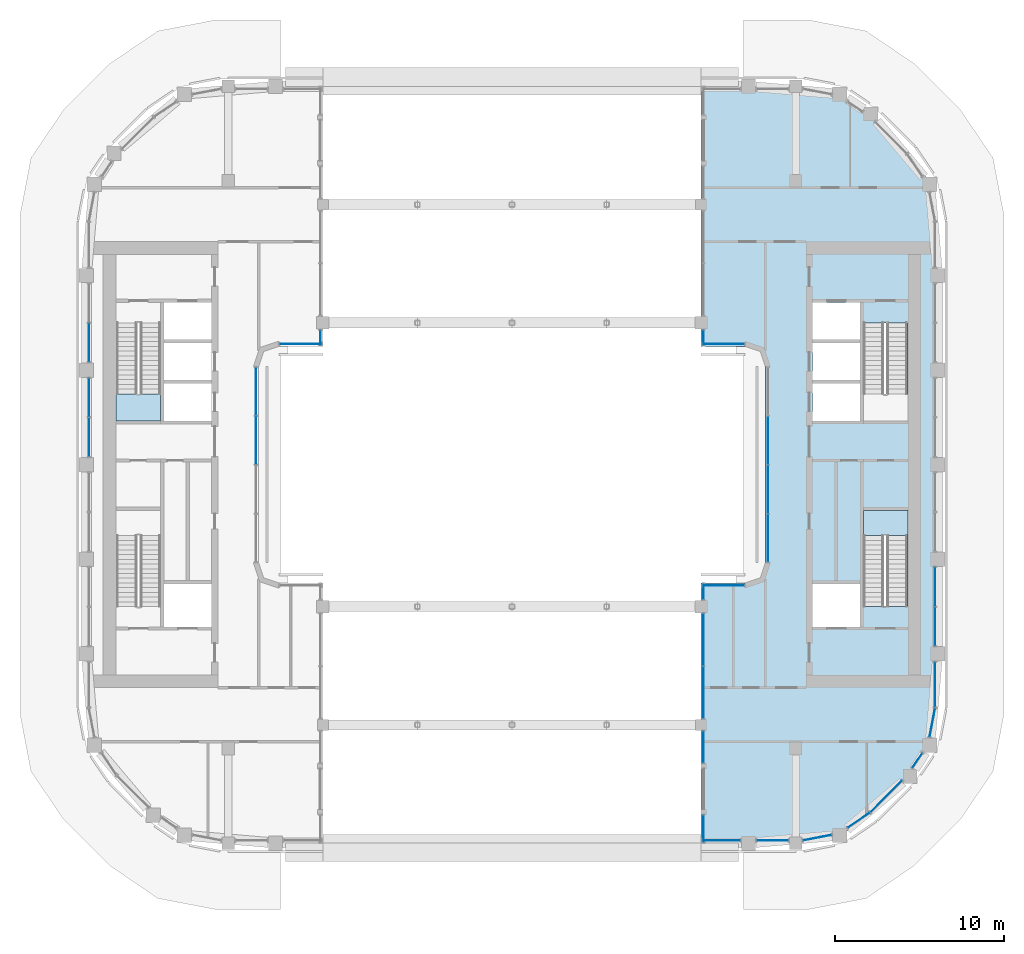
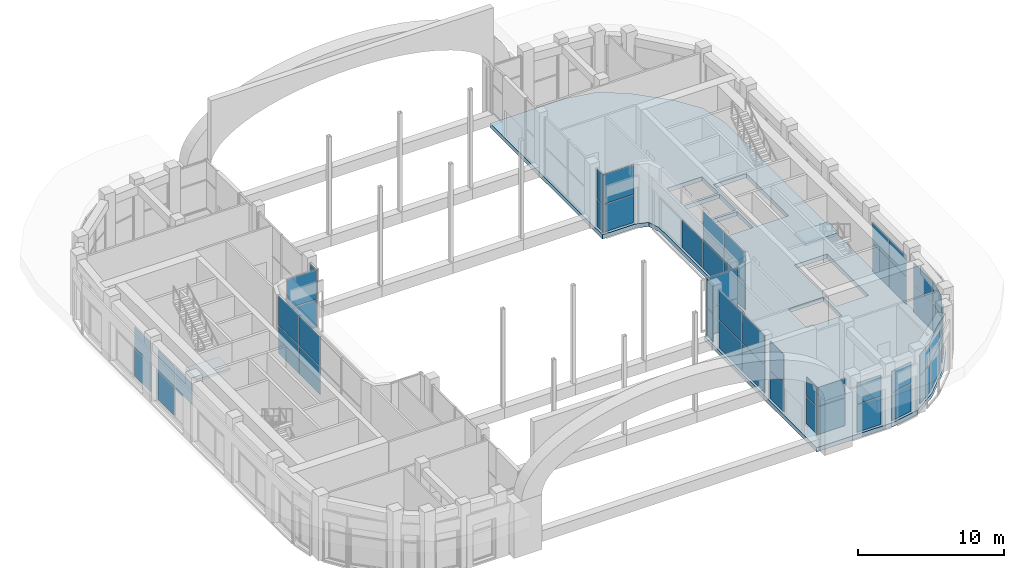
# One storey, part 12 of 26: 54 plates, 3 slabs, 24 elements without a shape of their own.
"""IFC4 building model written with IfcOpenShell, lengths in metres."""

from ifc_helpers import new_model, si_unit, direction, frame, origin, origin_2d, place, context, subcontext, project, spatial, polyline, rectangle, outline, extrude, material, layer, layer_set, type_object, element, aggregate, save


model = new_model("IFC4")

# Units and contexts
model_context = context("Model", 3, precision=1e-05, world=origin(), true_north=direction((0.0, 1.0)))
body_context = subcontext(model_context, "Body", "Model", "MODEL_VIEW")
ifc_project = project(units=[si_unit("LENGTHUNIT", "METRE"), si_unit("AREAUNIT", "SQUARE_METRE"), si_unit("VOLUMEUNIT", "CUBIC_METRE"), si_unit("PLANEANGLEUNIT", "RADIAN"), si_unit("MASSUNIT", "GRAM", prefix="KILO")], contexts=[model_context])

# Site, building, storey
site_placement = place(None, origin())
site = spatial("IfcSite", under=ifc_project, at=site_placement, CompositionType="ELEMENT")
building_placement = place(site_placement, origin())
building = spatial("IfcBuilding", under=site, at=building_placement, Name="Kiln Ring Residences", CompositionType="ELEMENT")
storey_placement = place(building_placement, frame((0.0, 0.0, 230.89990234375)))
storey = spatial("IfcBuildingStorey", under=building, at=storey_placement, Name="L60", CompositionType="ELEMENT", Elevation=230.89990234375)

# Stair, slab
ifc_material_1 = material(Name="Concrete C40/50", Category="concrete")
stair_type = type_object("IfcStairType", Name="CORE-STAIR", PredefinedType="HALF_TURN_STAIR", material=ifc_material_1)
placement_1 = place(storey_placement, origin())
stair_1 = element("IfcStair", 1, at=placement_1, inside=storey, type_object=stair_type, Name="L60 stair W-STN", PredefinedType="HALF_TURN_STAIR")
ifc_material_2 = material(Name="Concrete C40/50", Category="concrete")
ifc_layer_1 = layer(ifc_material_2, 0.199951171875)
ifc_layer_set_1 = layer_set([ifc_layer_1], Name="CORE-STAIR-LANDING")
slab_type_1 = type_object("IfcSlabType", Name="CORE-STAIR-LANDING", PredefinedType="LANDING", material=ifc_layer_set_1)
placement_2 = place(storey_placement, frame((0.0, 0.0, 2.5)))
slab_1 = element("IfcSlab", 2, at=placement_2, type_object=slab_type_1, Name="W-STN landing 1", PredefinedType="LANDING", context=body_context, shape_type="SweptSolid", body=[
    extrude(outline(polyline([(-23.449951171875, 4.199951171875), (-23.449951171875, 2.60009765625), (-20.800048828125, 2.60009765625), (-20.800048828125, 4.199951171875), (-23.449951171875, 4.199951171875)])), origin(), (0.0, 0.0, 1.0), 0.2001953125),
])
aggregate(stair_1, [slab_1])

stair_2 = element("IfcStair", 3, at=placement_1, inside=storey, type_object=stair_type, Name="L60 stair E-STS", PredefinedType="HALF_TURN_STAIR")
slab_2 = element("IfcSlab", 4, at=placement_2, type_object=slab_type_1, Name="E-STS landing 1", PredefinedType="LANDING", context=body_context, shape_type="SweptSolid", body=[
    extrude(outline(polyline([(23.449951171875, -4.199951171875), (23.449951171875, -2.699951171875), (20.800048828125, -2.699951171875), (20.800048828125, -4.199951171875), (23.449951171875, -4.199951171875)])), origin(), (0.0, 0.0, 1.0), 0.2001953125),
])
aggregate(stair_2, [slab_2])

# Curtain wall, plates
ifc_material_3 = material(Name="Aluminium and glass", Category="aluminium")
ifc_layer_2 = layer(ifc_material_3, 0.199951171875)
ifc_layer_set_2 = layer_set([ifc_layer_2], Name="CW1 CURTAIN WALL")
curtain_wall_type = type_object("IfcCurtainWallType", Name="CW1 CURTAIN WALL", PredefinedType="NOTDEFINED", material=ifc_layer_set_2)
curtain_wall_1 = element("IfcCurtainWall", 5, at=placement_1, inside=storey, type_object=curtain_wall_type, Name="Curtain wall CW1 L60", PredefinedType="NOTDEFINED")
ifc_material_4 = material(Name="Glass, low-e laminated", Category="glass")
ifc_layer_3 = layer(ifc_material_4, 0.028076171875)
ifc_layer_set_3 = layer_set([ifc_layer_3], Name="CW1 PANEL 28")
plate_type = type_object("IfcPlateType", Name="CW1 PANEL 28", PredefinedType="CURTAIN_PANEL", material=ifc_layer_set_3)
plate_1_placement = place(storey_placement, frame((-15.14990234375, 1.449951171875, 0.06005859375), z_axis=(0.0, 0.0, 1.0), x_axis=(0.0, 1.0, 0.0)))
plate_1 = element("IfcPlate", 6, at=plate_1_placement, type_object=plate_type, Name="CW1 panel 3.1", PredefinedType="CURTAIN_PANEL", context=body_context, shape_type="SweptSolid", body=[
    extrude(rectangle(XDim=2.840087890625, YDim=0.028076171875, at=origin_2d()), origin(), (0.0, 0.0, 1.0), 2.31005859375),
])
plate_2_placement = place(storey_placement, frame((-15.14990234375, 1.449951171875, 2.43017578125), z_axis=(0.0, 0.0, 1.0), x_axis=(0.0, 1.0, 0.0)))
plate_2 = element("IfcPlate", 7, at=plate_2_placement, type_object=plate_type, Name="CW1 panel 3.2", PredefinedType="CURTAIN_PANEL", context=body_context, shape_type="SweptSolid", body=[
    extrude(rectangle(XDim=2.840087890625, YDim=0.028076171875, at=origin_2d()), origin(), (0.0, 0.0, 1.0), 2.4599609375),
])
plate_3_placement = place(storey_placement, frame((-15.14990234375, 4.3349609375, 0.06005859375), z_axis=(0.0, 0.0, 1.0), x_axis=(0.0, 1.0, 0.0)))
plate_3 = element("IfcPlate", 8, at=plate_3_placement, type_object=plate_type, Name="CW1 panel 4.1", PredefinedType="CURTAIN_PANEL", context=body_context, shape_type="SweptSolid", body=[
    extrude(rectangle(XDim=2.81005859375, YDim=0.028076171875, at=origin_2d()), origin(), (0.0, 0.0, 1.0), 2.31005859375),
])
plate_4_placement = place(storey_placement, frame((-15.14990234375, 4.3349609375, 2.43017578125), z_axis=(0.0, 0.0, 1.0), x_axis=(0.0, 1.0, 0.0)))
plate_4 = element("IfcPlate", 9, at=plate_4_placement, type_object=plate_type, Name="CW1 panel 4.2", PredefinedType="CURTAIN_PANEL", context=body_context, shape_type="SweptSolid", body=[
    extrude(rectangle(XDim=2.81005859375, YDim=0.028076171875, at=origin_2d()), origin(), (0.0, 0.0, 1.0), 2.4599609375),
])
aggregate(curtain_wall_1, [plate_1, plate_2, plate_3, plate_4])

curtain_wall_2 = element("IfcCurtainWall", 10, at=placement_1, inside=storey, type_object=curtain_wall_type, Name="Curtain wall CW1 L60", PredefinedType="NOTDEFINED")
plate_5_placement = place(storey_placement, frame((-12.5, 7.14990234375, 0.06005859375), z_axis=(0.0, 0.0, 1.0), x_axis=(1.0, 0.0, 0.0)))
plate_5 = element("IfcPlate", 11, at=plate_5_placement, type_object=plate_type, Name="CW1 panel 1.1", PredefinedType="CURTAIN_PANEL", context=body_context, shape_type="SweptSolid", body=[
    extrude(rectangle(XDim=2.47998046875, YDim=0.028076171875, at=origin_2d()), origin(), (0.0, 0.0, 1.0), 2.31005859375),
])
plate_6_placement = place(storey_placement, frame((-12.5, 7.14990234375, 2.43017578125), z_axis=(0.0, 0.0, 1.0), x_axis=(1.0, 0.0, 0.0)))
plate_6 = element("IfcPlate", 12, at=plate_6_placement, type_object=plate_type, Name="CW1 panel 1.2", PredefinedType="CURTAIN_PANEL", context=body_context, shape_type="SweptSolid", body=[
    extrude(rectangle(XDim=2.47998046875, YDim=0.028076171875, at=origin_2d()), origin(), (0.0, 0.0, 1.0), 2.4599609375),
])
aggregate(curtain_wall_2, [plate_5, plate_6])

curtain_wall_3 = element("IfcCurtainWall", 13, at=placement_1, inside=storey, type_object=curtain_wall_type, Name="Curtain wall CW1 L60", PredefinedType="NOTDEFINED")
plate_7_placement = place(storey_placement, frame((-11.35009765625, 7.512451171875, 0.06005859375), z_axis=(0.0, 0.0, 1.0), x_axis=(0.0, 1.0, 0.0)))
plate_7 = element("IfcPlate", 14, at=plate_7_placement, type_object=plate_type, Name="CW1 panel 1.1", PredefinedType="CURTAIN_PANEL", context=body_context, shape_type="SweptSolid", body=[
    extrude(rectangle(XDim=0.905029296875, YDim=0.028076171875, at=origin_2d()), origin(), (0.0, 0.0, 1.0), 2.31005859375),
])
plate_8_placement = place(storey_placement, frame((-11.35009765625, 7.512451171875, 2.43017578125), z_axis=(0.0, 0.0, 1.0), x_axis=(0.0, 1.0, 0.0)))
plate_8 = element("IfcPlate", 15, at=plate_8_placement, type_object=plate_type, Name="CW1 panel 1.2", PredefinedType="CURTAIN_PANEL", context=body_context, shape_type="SweptSolid", body=[
    extrude(rectangle(XDim=0.905029296875, YDim=0.028076171875, at=origin_2d()), origin(), (0.0, 0.0, 1.0), 2.4599609375),
])
aggregate(curtain_wall_3, [plate_7, plate_8])

curtain_wall_4 = element("IfcCurtainWall", 16, at=placement_1, inside=storey, type_object=curtain_wall_type, Name="Curtain wall CW1 L60", PredefinedType="NOTDEFINED")
plate_9_placement = place(storey_placement, frame((-25.050048828125, 7.2275390625, 0.06005859375), z_axis=(0.0, 0.0, 1.0), x_axis=(0.0, -1.0, 0.0)))
plate_9 = element("IfcPlate", 17, at=plate_9_placement, type_object=plate_type, Name="CW1 panel 2.1", PredefinedType="CURTAIN_PANEL", context=body_context, shape_type="SweptSolid", body=[
    extrude(rectangle(XDim=2.284912109375, YDim=0.028076171875, at=origin_2d()), origin(), (0.0, 0.0, 1.0), 2.31005859375),
])
plate_10_placement = place(storey_placement, frame((-25.050048828125, 7.2275390625, 2.43017578125), z_axis=(0.0, 0.0, 1.0), x_axis=(0.0, -1.0, 0.0)))
plate_10 = element("IfcPlate", 18, at=plate_10_placement, type_object=plate_type, Name="CW1 panel 2.2", PredefinedType="CURTAIN_PANEL", context=body_context, shape_type="SweptSolid", body=[
    extrude(rectangle(XDim=2.284912109375, YDim=0.028076171875, at=origin_2d()), origin(), (0.0, 0.0, 1.0), 1.760009765625),
])
aggregate(curtain_wall_4, [plate_9, plate_10])

curtain_wall_5 = element("IfcCurtainWall", 19, at=placement_1, inside=storey, type_object=curtain_wall_type, Name="Curtain wall CW1 L60", PredefinedType="NOTDEFINED")
plate_11_placement = place(storey_placement, frame((-25.050048828125, 3.972412109375, 0.06005859375), z_axis=(0.0, 0.0, 1.0), x_axis=(0.0, -1.0, 0.0)))
plate_11 = element("IfcPlate", 20, at=plate_11_placement, type_object=plate_type, Name="CW1 panel 1.1", PredefinedType="CURTAIN_PANEL", context=body_context, shape_type="SweptSolid", body=[
    extrude(rectangle(XDim=2.284912109375, YDim=0.028076171875, at=origin_2d()), origin(), (0.0, 0.0, 1.0), 2.31005859375),
])
plate_12_placement = place(storey_placement, frame((-25.050048828125, 3.972412109375, 2.43017578125), z_axis=(0.0, 0.0, 1.0), x_axis=(0.0, -1.0, 0.0)))
plate_12 = element("IfcPlate", 21, at=plate_12_placement, type_object=plate_type, Name="CW1 panel 1.2", PredefinedType="CURTAIN_PANEL", context=body_context, shape_type="SweptSolid", body=[
    extrude(rectangle(XDim=2.284912109375, YDim=0.028076171875, at=origin_2d()), origin(), (0.0, 0.0, 1.0), 1.760009765625),
])
plate_13_placement = place(storey_placement, frame((-25.050048828125, 1.62744140625, 2.43017578125), z_axis=(0.0, 0.0, 1.0), x_axis=(0.0, -1.0, 0.0)))
plate_13 = element("IfcPlate", 22, at=plate_13_placement, type_object=plate_type, Name="CW1 panel 2.2", PredefinedType="CURTAIN_PANEL", context=body_context, shape_type="SweptSolid", body=[
    extrude(rectangle(XDim=2.284912109375, YDim=0.028076171875, at=origin_2d()), origin(), (0.0, 0.0, 1.0), 1.760009765625),
])
aggregate(curtain_wall_5, [plate_11, plate_12, plate_13])

curtain_wall_6 = element("IfcCurtainWall", 23, at=placement_1, inside=storey, type_object=curtain_wall_type, Name="Curtain wall CW1 L60", PredefinedType="NOTDEFINED")
plate_14_placement = place(storey_placement, frame((12.5, -7.14990234375, 0.06005859375), z_axis=(0.0, 0.0, 1.0), x_axis=(-1.0, 0.0, 0.0)))
plate_14 = element("IfcPlate", 24, at=plate_14_placement, type_object=plate_type, Name="CW1 panel 1.1", PredefinedType="CURTAIN_PANEL", context=body_context, shape_type="SweptSolid", body=[
    extrude(rectangle(XDim=2.47998046875, YDim=0.028076171875, at=origin_2d()), origin(), (0.0, 0.0, 1.0), 2.31005859375),
])
plate_15_placement = place(storey_placement, frame((12.5, -7.14990234375, 2.43017578125), z_axis=(0.0, 0.0, 1.0), x_axis=(-1.0, 0.0, 0.0)))
plate_15 = element("IfcPlate", 25, at=plate_15_placement, type_object=plate_type, Name="CW1 panel 1.2", PredefinedType="CURTAIN_PANEL", context=body_context, shape_type="SweptSolid", body=[
    extrude(rectangle(XDim=2.47998046875, YDim=0.028076171875, at=origin_2d()), origin(), (0.0, 0.0, 1.0), 2.4599609375),
])
aggregate(curtain_wall_6, [plate_14, plate_15])

curtain_wall_7 = element("IfcCurtainWall", 26, at=placement_1, inside=storey, type_object=curtain_wall_type, Name="Curtain wall CW1 L60", PredefinedType="NOTDEFINED")
plate_16_placement = place(storey_placement, frame((11.35009765625, -7.512451171875, 0.06005859375), z_axis=(0.0, 0.0, 1.0), x_axis=(0.0, -1.0, 0.0)))
plate_16 = element("IfcPlate", 27, at=plate_16_placement, type_object=plate_type, Name="CW1 panel 1.1", PredefinedType="CURTAIN_PANEL", context=body_context, shape_type="SweptSolid", body=[
    extrude(rectangle(XDim=0.905029296875, YDim=0.028076171875, at=origin_2d()), origin(), (0.0, 0.0, 1.0), 2.31005859375),
])
plate_17_placement = place(storey_placement, frame((11.35009765625, -7.512451171875, 2.43017578125), z_axis=(0.0, 0.0, 1.0), x_axis=(0.0, -1.0, 0.0)))
plate_17 = element("IfcPlate", 28, at=plate_17_placement, type_object=plate_type, Name="CW1 panel 1.2", PredefinedType="CURTAIN_PANEL", context=body_context, shape_type="SweptSolid", body=[
    extrude(rectangle(XDim=0.905029296875, YDim=0.028076171875, at=origin_2d()), origin(), (0.0, 0.0, 1.0), 2.4599609375),
])
aggregate(curtain_wall_7, [plate_16, plate_17])

curtain_wall_8 = element("IfcCurtainWall", 29, at=placement_1, inside=storey, type_object=curtain_wall_type, Name="Curtain wall CW1 L60", PredefinedType="NOTDEFINED")
plate_18_placement = place(storey_placement, frame((11.35009765625, -10.364990234375, 0.06005859375), z_axis=(0.0, 0.0, 1.0), x_axis=(0.0, -1.0, 0.0)))
plate_18 = element("IfcPlate", 30, at=plate_18_placement, type_object=plate_type, Name="CW1 panel 1.1", PredefinedType="CURTAIN_PANEL", context=body_context, shape_type="SweptSolid", body=[
    extrude(rectangle(XDim=3.06005859375, YDim=0.028076171875, at=origin_2d()), origin(), (0.0, 0.0, 1.0), 2.31005859375),
])
plate_19_placement = place(storey_placement, frame((11.35009765625, -10.364990234375, 2.43017578125), z_axis=(0.0, 0.0, 1.0), x_axis=(0.0, -1.0, 0.0)))
plate_19 = element("IfcPlate", 31, at=plate_19_placement, type_object=plate_type, Name="CW1 panel 1.2", PredefinedType="CURTAIN_PANEL", context=body_context, shape_type="SweptSolid", body=[
    extrude(rectangle(XDim=3.06005859375, YDim=0.028076171875, at=origin_2d()), origin(), (0.0, 0.0, 1.0), 2.4599609375),
])
plate_20_placement = place(storey_placement, frame((11.35009765625, -13.485107421875, 0.06005859375), z_axis=(0.0, 0.0, 1.0), x_axis=(0.0, -1.0, 0.0)))
plate_20 = element("IfcPlate", 32, at=plate_20_placement, type_object=plate_type, Name="CW1 panel 2.1", PredefinedType="CURTAIN_PANEL", context=body_context, shape_type="SweptSolid", body=[
    extrude(rectangle(XDim=3.06005859375, YDim=0.028076171875, at=origin_2d()), origin(), (0.0, 0.0, 1.0), 2.31005859375),
])
plate_21_placement = place(storey_placement, frame((11.35009765625, -13.485107421875, 2.43017578125), z_axis=(0.0, 0.0, 1.0), x_axis=(0.0, -1.0, 0.0)))
plate_21 = element("IfcPlate", 33, at=plate_21_placement, type_object=plate_type, Name="CW1 panel 2.2", PredefinedType="CURTAIN_PANEL", context=body_context, shape_type="SweptSolid", body=[
    extrude(rectangle(XDim=3.06005859375, YDim=0.028076171875, at=origin_2d()), origin(), (0.0, 0.0, 1.0), 2.4599609375),
])
aggregate(curtain_wall_8, [plate_18, plate_19, plate_20, plate_21])

curtain_wall_9 = element("IfcCurtainWall", 34, at=placement_1, inside=storey, type_object=curtain_wall_type, Name="Curtain wall CW1 L60", PredefinedType="NOTDEFINED")
plate_22_placement = place(storey_placement, frame((11.35009765625, -16.71240234375, 0.06005859375), z_axis=(0.0, 0.0, 1.0), x_axis=(0.0, -1.0, 0.0)))
plate_22 = element("IfcPlate", 35, at=plate_22_placement, type_object=plate_type, Name="CW1 panel 1.1", PredefinedType="CURTAIN_PANEL", context=body_context, shape_type="SweptSolid", body=[
    extrude(rectangle(XDim=1.85498046875, YDim=0.028076171875, at=origin_2d()), origin(), (0.0, 0.0, 1.0), 2.31005859375),
])
plate_23_placement = place(storey_placement, frame((11.35009765625, -16.71240234375, 2.43017578125), z_axis=(0.0, 0.0, 1.0), x_axis=(0.0, -1.0, 0.0)))
plate_23 = element("IfcPlate", 36, at=plate_23_placement, type_object=plate_type, Name="CW1 panel 1.2", PredefinedType="CURTAIN_PANEL", context=body_context, shape_type="SweptSolid", body=[
    extrude(rectangle(XDim=1.85498046875, YDim=0.028076171875, at=origin_2d()), origin(), (0.0, 0.0, 1.0), 2.4599609375),
])
aggregate(curtain_wall_9, [plate_22, plate_23])

curtain_wall_10 = element("IfcCurtainWall", 37, at=placement_1, inside=storey, type_object=curtain_wall_type, Name="Curtain wall CW1 L60", PredefinedType="NOTDEFINED")
plate_24_placement = place(storey_placement, frame((11.35009765625, -21.550048828125, 0.9599609375), z_axis=(0.0, 0.0, 1.0), x_axis=(0.0, -1.0, 0.0)))
plate_24 = element("IfcPlate", 38, at=plate_24_placement, type_object=plate_type, Name="CW1 panel 1.1", PredefinedType="CURTAIN_PANEL", context=body_context, shape_type="SweptSolid", body=[
    extrude(rectangle(XDim=1.580078125, YDim=0.028076171875, at=origin_2d()), origin(), (0.0, 0.0, 1.0), 2.31005859375),
])
plate_25_placement = place(storey_placement, frame((11.35009765625, -21.550048828125, 3.330078125), z_axis=(0.0, 0.0, 1.0), x_axis=(0.0, -1.0, 0.0)))
plate_25 = element("IfcPlate", 39, at=plate_25_placement, type_object=plate_type, Name="CW1 panel 1.2", PredefinedType="CURTAIN_PANEL", context=body_context, shape_type="SweptSolid", body=[
    extrude(rectangle(XDim=1.580078125, YDim=0.028076171875, at=origin_2d()), origin(), (0.0, 0.0, 1.0), 1.56005859375),
])
aggregate(curtain_wall_10, [plate_24, plate_25])

curtain_wall_11 = element("IfcCurtainWall", 40, at=placement_1, inside=storey, type_object=curtain_wall_type, Name="Curtain wall CW1 L60", PredefinedType="NOTDEFINED")
plate_26_placement = place(storey_placement, frame((12.387451171875, -22.25, 0.9599609375), z_axis=(0.0, 0.0, 1.0), x_axis=(1.0, 0.0, 0.0)))
plate_26 = element("IfcPlate", 41, at=plate_26_placement, type_object=plate_type, Name="CW1 panel 1.1", PredefinedType="CURTAIN_PANEL", context=body_context, shape_type="SweptSolid", body=[
    extrude(rectangle(XDim=2.2548828125, YDim=0.028076171875, at=origin_2d()), origin(), (0.0, 0.0, 1.0), 2.31005859375),
])
plate_27_placement = place(storey_placement, frame((12.387451171875, -22.25, 3.330078125), z_axis=(0.0, 0.0, 1.0), x_axis=(1.0, 0.0, 0.0)))
plate_27 = element("IfcPlate", 42, at=plate_27_placement, type_object=plate_type, Name="CW1 panel 1.2", PredefinedType="CURTAIN_PANEL", context=body_context, shape_type="SweptSolid", body=[
    extrude(rectangle(XDim=2.2548828125, YDim=0.028076171875, at=origin_2d()), origin(), (0.0, 0.0, 1.0), 1.56005859375),
])
aggregate(curtain_wall_11, [plate_26, plate_27])

curtain_wall_12 = element("IfcCurtainWall", 43, at=placement_1, inside=storey, type_object=curtain_wall_type, Name="Curtain wall CW1 L60", PredefinedType="NOTDEFINED")
plate_28_placement = place(storey_placement, frame((15.425048828125, -22.25, 0.06005859375), z_axis=(0.0, 0.0, 1.0), x_axis=(1.0, 0.0, 0.0)))
plate_28 = element("IfcPlate", 44, at=plate_28_placement, type_object=plate_type, Name="CW1 panel 1.1", PredefinedType="CURTAIN_PANEL", context=body_context, shape_type="SweptSolid", body=[
    extrude(rectangle(XDim=1.8798828125, YDim=0.028076171875, at=origin_2d()), origin(), (0.0, 0.0, 1.0), 2.31005859375),
])
plate_29_placement = place(storey_placement, frame((15.425048828125, -22.25, 2.43017578125), z_axis=(0.0, 0.0, 1.0), x_axis=(1.0, 0.0, 0.0)))
plate_29 = element("IfcPlate", 45, at=plate_29_placement, type_object=plate_type, Name="CW1 panel 1.2", PredefinedType="CURTAIN_PANEL", context=body_context, shape_type="SweptSolid", body=[
    extrude(rectangle(XDim=1.8798828125, YDim=0.028076171875, at=origin_2d()), origin(), (0.0, 0.0, 1.0), 1.760009765625),
])
aggregate(curtain_wall_12, [plate_28, plate_29])

curtain_wall_13 = element("IfcCurtainWall", 46, at=placement_1, inside=storey, type_object=curtain_wall_type, Name="Curtain wall CW1 L60", PredefinedType="NOTDEFINED")
plate_30_placement = place(storey_placement, frame((18.07275390625, -22.080810546875, 0.06005859375), z_axis=(0.0, 0.0, 1.0), x_axis=(0.982290257836, 0.18736555009, 0.0)))
plate_30 = element("IfcPlate", 47, at=plate_30_placement, type_object=plate_type, Name="CW1 panel 1.1", PredefinedType="CURTAIN_PANEL", context=body_context, shape_type="SweptSolid", body=[
    extrude(rectangle(XDim=1.7080078125, YDim=0.028076171875, at=origin_2d()), origin(), (0.0, 0.0, 1.0), 2.31005859375),
])
plate_31_placement = place(storey_placement, frame((18.07275390625, -22.080810546875, 2.43017578125), z_axis=(0.0, 0.0, 1.0), x_axis=(0.982290257836, 0.18736555009, 0.0)))
plate_31 = element("IfcPlate", 48, at=plate_31_placement, type_object=plate_type, Name="CW1 panel 1.2", PredefinedType="CURTAIN_PANEL", context=body_context, shape_type="SweptSolid", body=[
    extrude(rectangle(XDim=1.7080078125, YDim=0.028076171875, at=origin_2d()), origin(), (0.0, 0.0, 1.0), 1.760009765625),
])
aggregate(curtain_wall_13, [plate_30, plate_31])

curtain_wall_14 = element("IfcCurtainWall", 49, at=placement_1, inside=storey, type_object=curtain_wall_type, Name="Curtain wall CW1 L60", PredefinedType="NOTDEFINED")
plate_32_placement = place(storey_placement, frame((20.523193359375, -21.047607421875, 0.06005859375), z_axis=(0.0, 0.0, 1.0), x_axis=(0.827071553674, 0.562096651033, 0.0)))
plate_32 = element("IfcPlate", 50, at=plate_32_placement, type_object=plate_type, Name="CW1 panel 1.1", PredefinedType="CURTAIN_PANEL", context=body_context, shape_type="SweptSolid", body=[
    extrude(rectangle(XDim=1.54736328125, YDim=0.028076171875, at=origin_2d()), origin(), (0.0, 0.0, 1.0), 2.31005859375),
])
plate_33_placement = place(storey_placement, frame((20.523193359375, -21.047607421875, 2.43017578125), z_axis=(0.0, 0.0, 1.0), x_axis=(0.827071553674, 0.562096651033, 0.0)))
plate_33 = element("IfcPlate", 51, at=plate_33_placement, type_object=plate_type, Name="CW1 panel 1.2", PredefinedType="CURTAIN_PANEL", context=body_context, shape_type="SweptSolid", body=[
    extrude(rectangle(XDim=1.54736328125, YDim=0.028076171875, at=origin_2d()), origin(), (0.0, 0.0, 1.0), 1.760009765625),
])
aggregate(curtain_wall_14, [plate_32, plate_33])

curtain_wall_15 = element("IfcCurtainWall", 52, at=placement_1, inside=storey, type_object=curtain_wall_type, Name="Curtain wall CW1 L60", PredefinedType="NOTDEFINED")
plate_34_placement = place(storey_placement, frame((22.162841796875, -19.625, 0.06005859375), z_axis=(0.0, 0.0, 1.0), x_axis=(0.707106781187, 0.707106781187, 0.0)))
plate_34 = element("IfcPlate", 53, at=plate_34_placement, type_object=plate_type, Name="CW1 panel 1.1", PredefinedType="CURTAIN_PANEL", context=body_context, shape_type="SweptSolid", body=[
    extrude(rectangle(XDim=2.62890625, YDim=0.028076171875, at=origin_2d()), origin(), (0.0, 0.0, 1.0), 2.31005859375),
])
plate_35_placement = place(storey_placement, frame((22.162841796875, -19.625, 2.43017578125), z_axis=(0.0, 0.0, 1.0), x_axis=(0.707106781187, 0.707106781187, 0.0)))
plate_35 = element("IfcPlate", 54, at=plate_35_placement, type_object=plate_type, Name="CW1 panel 1.2", PredefinedType="CURTAIN_PANEL", context=body_context, shape_type="SweptSolid", body=[
    extrude(rectangle(XDim=2.62890625, YDim=0.028076171875, at=origin_2d()), origin(), (0.0, 0.0, 1.0), 1.760009765625),
])
aggregate(curtain_wall_15, [plate_34, plate_35])

curtain_wall_16 = element("IfcCurtainWall", 55, at=placement_1, inside=storey, type_object=curtain_wall_type, Name="Curtain wall CW1 L60", PredefinedType="NOTDEFINED")
plate_36_placement = place(storey_placement, frame((23.9892578125, -17.514892578125, 0.06005859375), z_axis=(0.0, 0.0, 1.0), x_axis=(0.562096650745, 0.82707155387, 0.0)))
plate_36 = element("IfcPlate", 56, at=plate_36_placement, type_object=plate_type, Name="CW1 panel 1.1", PredefinedType="CURTAIN_PANEL", context=body_context, shape_type="SweptSolid", body=[
    extrude(rectangle(XDim=1.04345703125, YDim=0.028076171875, at=origin_2d()), origin(), (0.0, 0.0, 1.0), 2.31005859375),
])
plate_37_placement = place(storey_placement, frame((23.9892578125, -17.514892578125, 2.43017578125), z_axis=(0.0, 0.0, 1.0), x_axis=(0.562096650745, 0.82707155387, 0.0)))
plate_37 = element("IfcPlate", 57, at=plate_37_placement, type_object=plate_type, Name="CW1 panel 1.2", PredefinedType="CURTAIN_PANEL", context=body_context, shape_type="SweptSolid", body=[
    extrude(rectangle(XDim=1.04345703125, YDim=0.028076171875, at=origin_2d()), origin(), (0.0, 0.0, 1.0), 1.760009765625),
])
aggregate(curtain_wall_16, [plate_36, plate_37])

curtain_wall_17 = element("IfcCurtainWall", 58, at=placement_1, inside=storey, type_object=curtain_wall_type, Name="Curtain wall CW1 L60", PredefinedType="NOTDEFINED")
plate_38_placement = place(storey_placement, frame((24.881103515625, -15.271240234375, 0.06005859375), z_axis=(0.0, 0.0, 1.0), x_axis=(0.187365550124, 0.982290257829, 0.0)))
plate_38 = element("IfcPlate", 59, at=plate_38_placement, type_object=plate_type, Name="CW1 panel 1.1", PredefinedType="CURTAIN_PANEL", context=body_context, shape_type="SweptSolid", body=[
    extrude(rectangle(XDim=1.711181640625, YDim=0.028076171875, at=origin_2d()), origin(), (0.0, 0.0, 1.0), 2.31005859375),
])
plate_39_placement = place(storey_placement, frame((24.881103515625, -15.271240234375, 2.43017578125), z_axis=(0.0, 0.0, 1.0), x_axis=(0.187365550124, 0.982290257829, 0.0)))
plate_39 = element("IfcPlate", 60, at=plate_39_placement, type_object=plate_type, Name="CW1 panel 1.2", PredefinedType="CURTAIN_PANEL", context=body_context, shape_type="SweptSolid", body=[
    extrude(rectangle(XDim=1.711181640625, YDim=0.028076171875, at=origin_2d()), origin(), (0.0, 0.0, 1.0), 1.760009765625),
])
aggregate(curtain_wall_17, [plate_38, plate_39])

curtain_wall_18 = element("IfcCurtainWall", 61, at=placement_1, inside=storey, type_object=curtain_wall_type, Name="Curtain wall CW1 L60", PredefinedType="NOTDEFINED")
plate_40_placement = place(storey_placement, frame((25.050048828125, -13.012451171875, 0.06005859375), z_axis=(0.0, 0.0, 1.0), x_axis=(0.0, 1.0, 0.0)))
plate_40 = element("IfcPlate", 62, at=plate_40_placement, type_object=plate_type, Name="CW1 panel 1.1", PredefinedType="CURTAIN_PANEL", context=body_context, shape_type="SweptSolid", body=[
    extrude(rectangle(XDim=2.655029296875, YDim=0.028076171875, at=origin_2d()), origin(), (0.0, 0.0, 1.0), 2.31005859375),
])
plate_41_placement = place(storey_placement, frame((25.050048828125, -13.012451171875, 2.43017578125), z_axis=(0.0, 0.0, 1.0), x_axis=(0.0, 1.0, 0.0)))
plate_41 = element("IfcPlate", 63, at=plate_41_placement, type_object=plate_type, Name="CW1 panel 1.2", PredefinedType="CURTAIN_PANEL", context=body_context, shape_type="SweptSolid", body=[
    extrude(rectangle(XDim=2.655029296875, YDim=0.028076171875, at=origin_2d()), origin(), (0.0, 0.0, 1.0), 1.760009765625),
])
aggregate(curtain_wall_18, [plate_40, plate_41])

curtain_wall_19 = element("IfcCurtainWall", 64, at=placement_1, inside=storey, type_object=curtain_wall_type, Name="Curtain wall CW1 L60", PredefinedType="NOTDEFINED")
plate_42_placement = place(storey_placement, frame((25.050048828125, -9.572509765625, 0.06005859375), z_axis=(0.0, 0.0, 1.0), x_axis=(0.0, 1.0, 0.0)))
plate_42 = element("IfcPlate", 65, at=plate_42_placement, type_object=plate_type, Name="CW1 panel 1.1", PredefinedType="CURTAIN_PANEL", context=body_context, shape_type="SweptSolid", body=[
    extrude(rectangle(XDim=2.284912109375, YDim=0.028076171875, at=origin_2d()), origin(), (0.0, 0.0, 1.0), 2.31005859375),
])
plate_43_placement = place(storey_placement, frame((25.050048828125, -9.572509765625, 2.43017578125), z_axis=(0.0, 0.0, 1.0), x_axis=(0.0, 1.0, 0.0)))
plate_43 = element("IfcPlate", 66, at=plate_43_placement, type_object=plate_type, Name="CW1 panel 1.2", PredefinedType="CURTAIN_PANEL", context=body_context, shape_type="SweptSolid", body=[
    extrude(rectangle(XDim=2.284912109375, YDim=0.028076171875, at=origin_2d()), origin(), (0.0, 0.0, 1.0), 1.760009765625),
])
plate_44_placement = place(storey_placement, frame((25.050048828125, -7.2275390625, 0.06005859375), z_axis=(0.0, 0.0, 1.0), x_axis=(0.0, 1.0, 0.0)))
plate_44 = element("IfcPlate", 67, at=plate_44_placement, type_object=plate_type, Name="CW1 panel 2.1", PredefinedType="CURTAIN_PANEL", context=body_context, shape_type="SweptSolid", body=[
    extrude(rectangle(XDim=2.284912109375, YDim=0.028076171875, at=origin_2d()), origin(), (0.0, 0.0, 1.0), 2.31005859375),
])
plate_45_placement = place(storey_placement, frame((25.050048828125, -7.2275390625, 2.43017578125), z_axis=(0.0, 0.0, 1.0), x_axis=(0.0, 1.0, 0.0)))
plate_45 = element("IfcPlate", 68, at=plate_45_placement, type_object=plate_type, Name="CW1 panel 2.2", PredefinedType="CURTAIN_PANEL", context=body_context, shape_type="SweptSolid", body=[
    extrude(rectangle(XDim=2.284912109375, YDim=0.028076171875, at=origin_2d()), origin(), (0.0, 0.0, 1.0), 1.760009765625),
])
aggregate(curtain_wall_19, [plate_42, plate_43, plate_44, plate_45])

curtain_wall_20 = element("IfcCurtainWall", 69, at=placement_1, inside=storey, type_object=curtain_wall_type, Name="Curtain wall CW1 L60", PredefinedType="NOTDEFINED")
plate_46_placement = place(storey_placement, frame((11.35009765625, 7.512451171875, 0.06005859375), z_axis=(0.0, 0.0, 1.0), x_axis=(0.0, -1.0, 0.0)))
plate_46 = element("IfcPlate", 70, at=plate_46_placement, type_object=plate_type, Name="CW1 panel 1.1", PredefinedType="CURTAIN_PANEL", context=body_context, shape_type="SweptSolid", body=[
    extrude(rectangle(XDim=0.905029296875, YDim=0.028076171875, at=origin_2d()), origin(), (0.0, 0.0, 1.0), 2.31005859375),
])
plate_47_placement = place(storey_placement, frame((11.35009765625, 7.512451171875, 2.43017578125), z_axis=(0.0, 0.0, 1.0), x_axis=(0.0, -1.0, 0.0)))
plate_47 = element("IfcPlate", 71, at=plate_47_placement, type_object=plate_type, Name="CW1 panel 1.2", PredefinedType="CURTAIN_PANEL", context=body_context, shape_type="SweptSolid", body=[
    extrude(rectangle(XDim=0.905029296875, YDim=0.028076171875, at=origin_2d()), origin(), (0.0, 0.0, 1.0), 2.4599609375),
])
aggregate(curtain_wall_20, [plate_46, plate_47])

curtain_wall_21 = element("IfcCurtainWall", 72, at=placement_1, inside=storey, type_object=curtain_wall_type, Name="Curtain wall CW1 L60", PredefinedType="NOTDEFINED")
plate_48_placement = place(storey_placement, frame((12.5, 7.14990234375, 0.06005859375), z_axis=(0.0, 0.0, 1.0), x_axis=(1.0, 0.0, 0.0)))
plate_48 = element("IfcPlate", 73, at=plate_48_placement, type_object=plate_type, Name="CW1 panel 1.1", PredefinedType="CURTAIN_PANEL", context=body_context, shape_type="SweptSolid", body=[
    extrude(rectangle(XDim=2.47998046875, YDim=0.028076171875, at=origin_2d()), origin(), (0.0, 0.0, 1.0), 2.31005859375),
])
plate_49_placement = place(storey_placement, frame((12.5, 7.14990234375, 2.43017578125), z_axis=(0.0, 0.0, 1.0), x_axis=(1.0, 0.0, 0.0)))
plate_49 = element("IfcPlate", 74, at=plate_49_placement, type_object=plate_type, Name="CW1 panel 1.2", PredefinedType="CURTAIN_PANEL", context=body_context, shape_type="SweptSolid", body=[
    extrude(rectangle(XDim=2.47998046875, YDim=0.028076171875, at=origin_2d()), origin(), (0.0, 0.0, 1.0), 2.4599609375),
])
aggregate(curtain_wall_21, [plate_48, plate_49])

curtain_wall_22 = element("IfcCurtainWall", 75, at=placement_1, inside=storey, type_object=curtain_wall_type, Name="Curtain wall CW1 L60", PredefinedType="NOTDEFINED")
plate_50_placement = place(storey_placement, frame((15.14990234375, 1.449951171875, 0.06005859375), z_axis=(0.0, 0.0, 1.0), x_axis=(0.0, -1.0, 0.0)))
plate_50 = element("IfcPlate", 76, at=plate_50_placement, type_object=plate_type, Name="CW1 panel 2.1", PredefinedType="CURTAIN_PANEL", context=body_context, shape_type="SweptSolid", body=[
    extrude(rectangle(XDim=2.840087890625, YDim=0.028076171875, at=origin_2d()), origin(), (0.0, 0.0, 1.0), 2.31005859375),
])
plate_51_placement = place(storey_placement, frame((15.14990234375, -1.449951171875, 0.06005859375), z_axis=(0.0, 0.0, 1.0), x_axis=(0.0, -1.0, 0.0)))
plate_51 = element("IfcPlate", 77, at=plate_51_placement, type_object=plate_type, Name="CW1 panel 3.1", PredefinedType="CURTAIN_PANEL", context=body_context, shape_type="SweptSolid", body=[
    extrude(rectangle(XDim=2.840087890625, YDim=0.028076171875, at=origin_2d()), origin(), (0.0, 0.0, 1.0), 2.31005859375),
])
plate_52_placement = place(storey_placement, frame((15.14990234375, -1.449951171875, 2.43017578125), z_axis=(0.0, 0.0, 1.0), x_axis=(0.0, -1.0, 0.0)))
plate_52 = element("IfcPlate", 78, at=plate_52_placement, type_object=plate_type, Name="CW1 panel 3.2", PredefinedType="CURTAIN_PANEL", context=body_context, shape_type="SweptSolid", body=[
    extrude(rectangle(XDim=2.840087890625, YDim=0.028076171875, at=origin_2d()), origin(), (0.0, 0.0, 1.0), 2.4599609375),
])
plate_53_placement = place(storey_placement, frame((15.14990234375, -4.3349609375, 0.06005859375), z_axis=(0.0, 0.0, 1.0), x_axis=(0.0, -1.0, 0.0)))
plate_53 = element("IfcPlate", 79, at=plate_53_placement, type_object=plate_type, Name="CW1 panel 4.1", PredefinedType="CURTAIN_PANEL", context=body_context, shape_type="SweptSolid", body=[
    extrude(rectangle(XDim=2.81005859375, YDim=0.028076171875, at=origin_2d()), origin(), (0.0, 0.0, 1.0), 2.31005859375),
])
plate_54_placement = place(storey_placement, frame((15.14990234375, -4.3349609375, 2.43017578125), z_axis=(0.0, 0.0, 1.0), x_axis=(0.0, -1.0, 0.0)))
plate_54 = element("IfcPlate", 80, at=plate_54_placement, type_object=plate_type, Name="CW1 panel 4.2", PredefinedType="CURTAIN_PANEL", context=body_context, shape_type="SweptSolid", body=[
    extrude(rectangle(XDim=2.81005859375, YDim=0.028076171875, at=origin_2d()), origin(), (0.0, 0.0, 1.0), 2.4599609375),
])
aggregate(curtain_wall_22, [plate_50, plate_51, plate_52, plate_53, plate_54])

# Slab
ifc_material_5 = material(Name="Concrete C40/50", Category="concrete")
ifc_layer_4 = layer(ifc_material_5, 0.35009765625)
ifc_layer_set_4 = layer_set([ifc_layer_4], Name="Floor slab 350")
slab_type_2 = type_object("IfcSlabType", Name="Floor slab 350", PredefinedType="FLOOR", material=ifc_layer_set_4)
slab_3_placement = place(storey_placement, frame((0.0, 0.0, -0.349853515625)))
element("IfcSlab", 81, at=slab_3_placement, inside=storey, type_object=slab_type_2, Name="Floor slab L60 2", PredefinedType="FLOOR", context=body_context, shape_type="SweptSolid", body=[
    extrude(outline(polyline([(13.800048828125, -7.0), (11.199951171875, -7.0), (11.199951171875, -22.39990234375), (17.199951171875, -22.39990234375), (19.42431640625, -21.975830078125), (21.297119140625, -20.702880859375), (23.5029296875, -18.4970703125), (24.775634765625, -16.624267578125), (25.199951171875, -14.39990234375), (25.199951171875, 14.39990234375), (24.775634765625, 16.624267578125), (23.5029296875, 18.4970703125), (21.297119140625, 20.702880859375), (19.42431640625, 21.975830078125), (17.199951171875, 22.39990234375), (11.199951171875, 22.39990234375), (11.199951171875, 7.0), (13.800048828125, 7.0), (14.699951171875, 6.699951171875), (15.0, 5.800048828125), (15.0, -5.800048828125), (14.699951171875, -6.699951171875), (13.800048828125, -7.0)]), holes=[polyline([(20.800048828125, -8.39794921875), (20.800048828125, -2.699951171875), (23.39990234375, -2.699951171875), (23.39990234375, -8.39794921875), (20.800048828125, -8.39794921875)]), polyline([(23.39990234375, 2.60009765625), (20.800048828125, 2.60009765625), (20.800048828125, 8.39794921875), (23.39990234375, 8.39794921875), (23.39990234375, 2.60009765625)]), polyline([(17.800048828125, 2.60009765625), (17.800048828125, 4.800048828125), (20.60009765625, 4.800048828125), (20.60009765625, 2.60009765625), (17.800048828125, 2.60009765625)]), polyline([(17.800048828125, 5.0), (17.800048828125, 7.199951171875), (20.60009765625, 7.199951171875), (20.60009765625, 5.0), (17.800048828125, 5.0)]), polyline([(17.800048828125, 7.39990234375), (17.800048828125, 9.60009765625), (20.60009765625, 9.60009765625), (20.60009765625, 7.39990234375), (17.800048828125, 7.39990234375)]), polyline([(20.60009765625, -9.60009765625), (17.800048828125, -9.60009765625), (17.800048828125, -7.050048828125), (20.60009765625, -7.050048828125), (20.60009765625, -9.60009765625)])]), origin(), (0.0, 0.0, 1.0), 0.349853515625),
])

save(model, "model.ifc")
